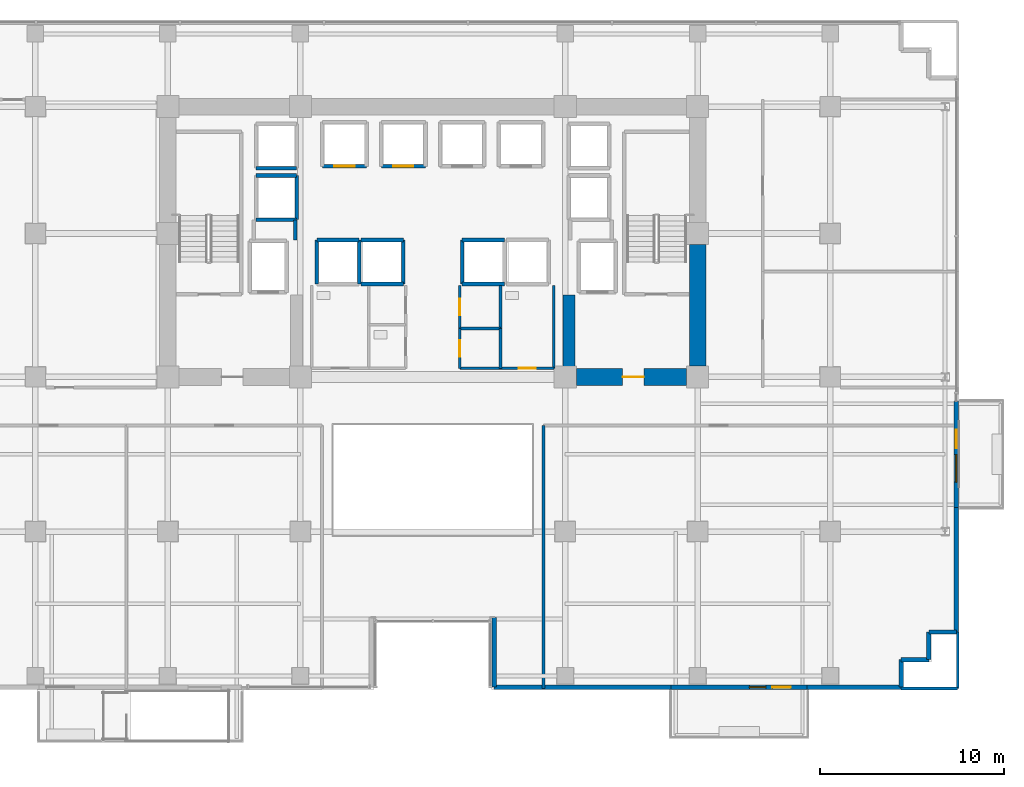
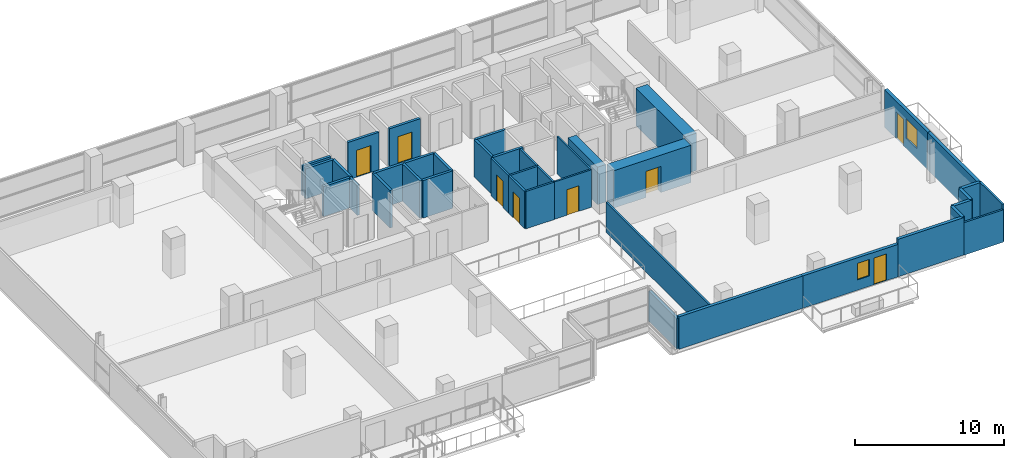
# One storey, part 23 of 30: 40 walls, 8 doors, 2 windows, 10 openings.
"""IFC4 building model written with IfcOpenShell, lengths in metres."""

from ifc_helpers import new_model, si_unit, direction, frame, frame_2d, origin, place, context, subcontext, project, spatial, rectangle, extrude, source, transform, mapped, material, layer, layer_set, type_object, element, fill, save


model = new_model("IFC4")

# Units and contexts
model_context = context("Model", 3, precision=1e-05, world=origin(), true_north=direction((0.0, 1.0)))
body_context = subcontext(model_context, "Body", "Model", "MODEL_VIEW")
ifc_project = project(units=[si_unit("LENGTHUNIT", "METRE"), si_unit("AREAUNIT", "SQUARE_METRE"), si_unit("VOLUMEUNIT", "CUBIC_METRE"), si_unit("PLANEANGLEUNIT", "RADIAN"), si_unit("MASSUNIT", "GRAM", prefix="KILO")], contexts=[model_context])

# Site, building, storey
site_placement = place(None, origin())
site = spatial("IfcSite", under=ifc_project, at=site_placement, CompositionType="ELEMENT")
building_placement = place(site_placement, origin())
building = spatial("IfcBuilding", under=site, at=building_placement, Name="Zarnakvel Exchange Tower", CompositionType="ELEMENT")
storey_placement = place(building_placement, frame((0.0, 0.0, 30.699951171875)))
storey = spatial("IfcBuildingStorey", under=building, at=storey_placement, Name="L07", CompositionType="ELEMENT", Elevation=30.699951171875)

# Wall
ifc_material_1 = material(Name="Concrete C80/95", Category="concrete")
ifc_layer_1 = layer(ifc_material_1, 0.89990234375)
ifc_layer_set_1 = layer_set([ifc_layer_1], Name="Concrete C80/95")
wall_type_1 = type_object("IfcWallType", Name="CW-C1", PredefinedType="SHEAR", material=ifc_layer_set_1)
wall_1_placement = place(storey_placement, frame((14.39990234375, -0.60009765625, 0.0), z_axis=(0.0, 0.0, 1.0), x_axis=(0.0, 1.0, 0.0)))
element("IfcWall", 1, at=wall_1_placement, inside=storey, type_object=wall_type_1, Name="L07 Rear Core Shear Wall E1 (CW-C1)", PredefinedType="SHEAR", context=body_context, shape_type="SweptSolid", body=[
    extrude(rectangle(XDim=6.60009765625, YDim=0.89990234375, at=frame_2d((3.300048828125, 0.0))), origin(), (0.0, 0.0, 1.0), 3.074951171875),
])

# Wall, opening, door
wall_2_placement = place(storey_placement, frame((13.800048828125, -1.199951171875, 0.0), z_axis=(0.0, 0.0, 1.0), x_axis=(-1.0, 0.0, 0.0)))
wall_2 = element("IfcWall", 2, at=wall_2_placement, inside=storey, type_object=wall_type_1, Name="L07 Rear Core Shear Wall SE (CW-C1)", PredefinedType="SHEAR", context=body_context, shape_type="SweptSolid", body=[
    extrude(rectangle(XDim=6.0, YDim=0.89990234375, at=frame_2d((3.0, 0.0))), origin(), (0.0, 0.0, 1.0), 3.074951171875),
])
opening_1_placement = place(wall_2_placement, frame((2.324951171875, 0.0, 0.0)))
opening_1 = element("IfcOpeningElement", 3, at=opening_1_placement, cuts=wall_2, Name="Opening D-L07-04", PredefinedType="OPENING", context=body_context, shape_type="SweptSolid", body=[
    extrude(rectangle(XDim=1.14990234375, YDim=2.14990234375, at=frame_2d((0.574951171875, 1.074951171875))), frame((0.0, 0.4599609375, 0.0), z_axis=(0.0, -1.0, 0.0), x_axis=(1.0, 0.0, 0.0)), (0.0, 0.0, 1.0), 0.919921875),
])
ifc_material_2 = material(Name="Painted Galvanised Steel S355", Category="steel")
door_type_1 = type_object("IfcDoorType", Name="DT-04", OperationType="NOTDEFINED", PredefinedType="DOOR", material=ifc_material_2)
shared_shape_1 = source(origin(), body_context, "Body", "SweptSolid", [
    extrude(rectangle(XDim=1.14990234375, YDim=2.14990234375, at=frame_2d((0.574951171875, 1.074951171875))), frame((0.0, 0.02490234375, 0.0), z_axis=(0.0, -1.0, 0.0), x_axis=(1.0, 0.0, 0.0)), (0.0, 0.0, 1.0), 0.050048828125),
])
door_1_placement = place(opening_1_placement, origin())
door_1 = element("IfcDoor", 4, at=door_1_placement, inside=storey, type_object=door_type_1, Name="L07 Firefighting Lobby East Door D-L07-04", OperationType="SINGLE_SWING_LEFT", OverallHeight=2.14990234375, OverallWidth=1.14990234375, PredefinedType="DOOR", context=body_context, shape_type="MappedRepresentation", body=[
    mapped(shared_shape_1, transform((0.0, 0.0, 0.0), x_axis=(1.0, 0.0, 0.0), y_axis=(0.0, 1.0, 0.0), z_axis=(0.0, 0.0, 1.0), scale=1.0)),
])
fill(opening_1, door_1)

# Wall
ifc_layer_2 = layer(ifc_material_1, 0.64990234375)
ifc_layer_set_2 = layer_set([ifc_layer_2], Name="Concrete C80/95")
wall_type_2 = type_object("IfcWallType", Name="CW-C2", PredefinedType="SHEAR", material=ifc_layer_set_2)
wall_3_placement = place(storey_placement, frame((7.39990234375, -0.75, 0.0), z_axis=(0.0, 0.0, 1.0), x_axis=(0.0, 1.0, 0.0)))
element("IfcWall", 5, at=wall_3_placement, inside=storey, type_object=wall_type_2, Name="L07 Rear Core Shear Wall IE (CW-C2)", PredefinedType="SHEAR", context=body_context, shape_type="SweptSolid", body=[
    extrude(rectangle(XDim=4.0, YDim=0.64990234375, at=frame_2d((2.0, 0.0))), origin(), (0.0, 0.0, 1.0), 3.074951171875),
])

# Wall, openings, door, window
ifc_material_3 = material(Name="Precast concrete C40/50", Category="concrete")
ifc_layer_3 = layer(ifc_material_3, 0.239990234375)
ifc_layer_set_3 = layer_set([ifc_layer_3], Name="Precast concrete C40/50")
wall_type_3 = type_object("IfcWallType", Name="EW-02", PredefinedType="SOLIDWALL", material=ifc_layer_set_3)
wall_4_placement = place(storey_placement, frame((20.35009765625, -18.06005859375, 0.0), z_axis=(0.0, 0.0, 1.0), x_axis=(-1.0, 0.0, 0.0)))
wall_4 = element("IfcWall", 6, at=wall_4_placement, inside=storey, type_object=wall_type_3, Name="L07 Exterior Precast Spandrel Wall EW-BAL-L07-SE (EW-02)", PredefinedType="SOLIDWALL", context=body_context, shape_type="SweptSolid", body=[
    extrude(rectangle(XDim=7.400146484375, YDim=0.239990234375, at=frame_2d((3.7001953125, 0.0))), origin(), (0.0, 0.0, 1.0), 2.6650390625),
])
opening_2_placement = place(wall_4_placement, frame((0.887939453125, 0.0, 0.0)))
opening_2 = element("IfcOpeningElement", 7, at=opening_2_placement, cuts=wall_4, Name="Opening BD-L07-01", PredefinedType="OPENING", context=body_context, shape_type="SweptSolid", body=[
    extrude(rectangle(XDim=1.0, YDim=2.199951171875, at=frame_2d((0.5, 1.10009765625))), frame((0.0, 0.1298828125, 0.0), z_axis=(0.0, -1.0, 0.0), x_axis=(1.0, 0.0, 0.0)), (0.0, 0.0, 1.0), 0.260009765625),
])
opening_3_placement = place(wall_4_placement, frame((2.238037109375, 0.0, 0.85009765625)))
opening_3 = element("IfcOpeningElement", 8, at=opening_3_placement, cuts=wall_4, Name="Opening WN-06", PredefinedType="OPENING", context=body_context, shape_type="SweptSolid", body=[
    extrude(rectangle(XDim=0.89990234375, YDim=1.35009765625, at=frame_2d((0.449951171875, 0.675048828125))), frame((0.0, 0.1298828125, 0.0), z_axis=(0.0, -1.0, 0.0), x_axis=(1.0, 0.0, 0.0)), (0.0, 0.0, 1.0), 0.260009765625),
])
ifc_material_4 = material(Name="Architectural Bronze Anodised Aluminium", Category="aluminium")
door_type_2 = type_object("IfcDoorType", Name="DT-09", OperationType="NOTDEFINED", PredefinedType="DOOR", material=ifc_material_4)
shared_shape_2 = source(origin(), body_context, "Body", "SweptSolid", [
    extrude(rectangle(XDim=1.0, YDim=2.199951171875, at=frame_2d((0.5, 1.10009765625))), frame((0.0, 0.02490234375, 0.0), z_axis=(0.0, -1.0, 0.0), x_axis=(1.0, 0.0, 0.0)), (0.0, 0.0, 1.0), 0.050048828125),
])
door_2_placement = place(opening_2_placement, origin())
door_2 = element("IfcDoor", 9, at=door_2_placement, inside=storey, type_object=door_type_2, Name="L07 Planted Loggia Balcony Door BD-L07-01", OperationType="SINGLE_SWING_LEFT", OverallHeight=2.199951171875, OverallWidth=1.0, PredefinedType="DOOR", context=body_context, shape_type="MappedRepresentation", body=[
    mapped(shared_shape_2, transform((0.0, 0.0, 0.0), x_axis=(1.0, 0.0, 0.0), y_axis=(0.0, 1.0, 0.0), z_axis=(0.0, 0.0, 1.0), scale=1.0)),
])
fill(opening_2, door_2)
ifc_material_5 = material(Name="Double Low-E Laminated Vision Glass", Category="glass")
window_type_1 = type_object("IfcWindowType", Name="WN-06", PartitioningType="SINGLE_PANEL", PredefinedType="WINDOW", material=ifc_material_5)
shared_shape_3 = source(origin(), body_context, "Body", "SweptSolid", [
    extrude(rectangle(XDim=0.89990234375, YDim=1.35009765625, at=frame_2d((0.449951171875, 0.675048828125))), frame((0.0, 0.030029296875, 0.0), z_axis=(0.0, -1.0, 0.0), x_axis=(1.0, 0.0, 0.0)), (0.0, 0.0, 1.0), 0.06005859375),
])
window_1_placement = place(opening_3_placement, origin())
window_1 = element("IfcWindow", 10, at=window_1_placement, inside=storey, type_object=window_type_1, Name="L07 Loggia Daylight Window (WN-06)", OverallHeight=1.35009765625, OverallWidth=0.89990234375, PartitioningType="SINGLE_PANEL", PredefinedType="WINDOW", context=body_context, shape_type="MappedRepresentation", body=[
    mapped(shared_shape_3, transform((0.0, 0.0, 0.0), x_axis=(1.0, 0.0, 0.0), y_axis=(0.0, 1.0, 0.0), z_axis=(0.0, 0.0, 1.0), scale=1.0)),
])
fill(opening_3, window_1)

wall_5_placement = place(storey_placement, frame((28.4599609375, -2.5, 0.0), z_axis=(0.0, 0.0, 1.0), x_axis=(0.0, -1.0, 0.0)))
wall_5 = element("IfcWall", 11, at=wall_5_placement, inside=storey, type_object=wall_type_3, Name="L07 Exterior Precast Spandrel Wall EW-BAL-L07-E (EW-02)", PredefinedType="SOLIDWALL", context=body_context, shape_type="SweptSolid", body=[
    extrude(rectangle(XDim=5.800048828125, YDim=0.239990234375, at=frame_2d((2.89990234375, 0.0))), origin(), (0.0, 0.0, 1.0), 3.074951171875),
])
opening_4_placement = place(wall_5_placement, frame((1.56591796875, 0.0, 0.0)))
opening_4 = element("IfcOpeningElement", 12, at=opening_4_placement, cuts=wall_5, Name="Opening BD-L07-02", PredefinedType="OPENING", context=body_context, shape_type="SweptSolid", body=[
    extrude(rectangle(XDim=1.0, YDim=2.199951171875, at=frame_2d((0.5, 1.10009765625))), frame((0.0, 0.1298828125, 0.0), z_axis=(0.0, -1.0, 0.0), x_axis=(1.0, 0.0, 0.0)), (0.0, 0.0, 1.0), 0.260009765625),
])
opening_5_placement = place(wall_5_placement, frame((2.916015625, 0.0, 0.85009765625)))
opening_5 = element("IfcOpeningElement", 13, at=opening_5_placement, cuts=wall_5, Name="Opening WN-03", PredefinedType="OPENING", context=body_context, shape_type="SweptSolid", body=[
    extrude(rectangle(XDim=1.5, YDim=1.60009765625, at=frame_2d((0.75, 0.800048828125))), frame((0.0, 0.1298828125, 0.0), z_axis=(0.0, -1.0, 0.0), x_axis=(1.0, 0.0, 0.0)), (0.0, 0.0, 1.0), 0.260009765625),
])
door_3_placement = place(opening_4_placement, origin())
door_3 = element("IfcDoor", 14, at=door_3_placement, inside=storey, type_object=door_type_2, Name="L07 Planted Loggia Balcony Door BD-L07-02", OperationType="SINGLE_SWING_RIGHT", OverallHeight=2.199951171875, OverallWidth=1.0, PredefinedType="DOOR", context=body_context, shape_type="MappedRepresentation", body=[
    mapped(shared_shape_2, transform((0.0, 0.0, 0.0), x_axis=(1.0, 0.0, 0.0), y_axis=(0.0, 1.0, 0.0), z_axis=(0.0, 0.0, 1.0), scale=1.0)),
])
fill(opening_4, door_3)
window_type_2 = type_object("IfcWindowType", Name="WN-03", PartitioningType="SINGLE_PANEL", PredefinedType="WINDOW", material=ifc_material_5)
shared_shape_4 = source(origin(), body_context, "Body", "SweptSolid", [
    extrude(rectangle(XDim=1.5, YDim=1.60009765625, at=frame_2d((0.75, 0.800048828125))), frame((0.0, 0.030029296875, 0.0), z_axis=(0.0, -1.0, 0.0), x_axis=(1.0, 0.0, 0.0)), (0.0, 0.0, 1.0), 0.06005859375),
])
window_2_placement = place(opening_5_placement, origin())
window_2 = element("IfcWindow", 15, at=window_2_placement, inside=storey, type_object=window_type_2, Name="L07 Loggia Daylight Window (WN-03)", OverallHeight=1.60009765625, OverallWidth=1.5, PartitioningType="SINGLE_PANEL", PredefinedType="WINDOW", context=body_context, shape_type="MappedRepresentation", body=[
    mapped(shared_shape_4, transform((0.0, 0.0, 0.0), x_axis=(1.0, 0.0, 0.0), y_axis=(0.0, 1.0, 0.0), z_axis=(0.0, 0.0, 1.0), scale=1.0)),
])
fill(opening_5, window_2)

# Walls
wall_6_placement = place(storey_placement, frame((28.4599609375, -15.06005859375, 0.0), z_axis=(0.0, 0.0, 1.0), x_axis=(0.0, 1.0, 0.0)))
element("IfcWall", 16, at=wall_6_placement, inside=storey, type_object=wall_type_3, Name="L07 Exterior Precast Spandrel Wall EWC-L07-10 (EW-02)", PredefinedType="SOLIDWALL", context=body_context, shape_type="SweptSolid", body=[
    extrude(rectangle(XDim=6.760009765625, YDim=0.239990234375, at=frame_2d((3.3798828125, 0.0))), origin(), (0.0, 0.0, 1.0), 3.074951171875),
])
for number, where, z_axis, x_axis, name in (
    (17, (26.9599609375, -15.06005859375, 0.0), (0.0, 0.0, 1.0), (1.0, 0.0, 0.0), "L07 Exterior Precast Spandrel Wall EWC-L07-11 (EW-02)"),
    (18, (26.9599609375, -16.56005859375, 0.0), (0.0, 0.0, 1.0), (0.0, 1.0, 0.0), "L07 Exterior Precast Spandrel Wall EWC-L07-12 (EW-02)"),
    (19, (25.4599609375, -16.56005859375, 0.0), (0.0, 0.0, 1.0), (1.0, 0.0, 0.0), "L07 Exterior Precast Spandrel Wall EWC-L07-13 (EW-02)"),
    (20, (25.4599609375, -18.06005859375, 0.0), (0.0, 0.0, 1.0), (0.0, 1.0, 0.0), "L07 Exterior Precast Spandrel Wall EWC-L07-14 (EW-02)"),
):
    element("IfcWall", number, at=place(storey_placement, frame(where, z_axis=z_axis, x_axis=x_axis)), inside=storey, type_object=wall_type_3, Name=name, PredefinedType="SOLIDWALL", context=body_context, shape_type="SweptSolid", body=[
        extrude(rectangle(XDim=1.5, YDim=0.239990234375, at=frame_2d((0.75, 0.0))), origin(), (0.0, 0.0, 1.0), 3.074951171875),
    ])
wall_7_placement = place(storey_placement, frame((20.35009765625, -18.06005859375, 0.0), z_axis=(0.0, 0.0, 1.0), x_axis=(1.0, 0.0, 0.0)))
element("IfcWall", 21, at=wall_7_placement, inside=storey, type_object=wall_type_3, Name="L07 Exterior Precast Spandrel Wall EWC-L07-15 (EW-02)", PredefinedType="SOLIDWALL", context=body_context, shape_type="SweptSolid", body=[
    extrude(rectangle(XDim=5.10986328125, YDim=0.239990234375, at=frame_2d((2.554931640625, 0.0))), origin(), (0.0, 0.0, 1.0), 3.074951171875),
])
wall_8_placement = place(storey_placement, frame((3.340087890625, -18.06005859375, 0.0), z_axis=(0.0, 0.0, 1.0), x_axis=(1.0, 0.0, 0.0)))
element("IfcWall", 22, at=wall_8_placement, inside=storey, type_object=wall_type_3, Name="L07 Exterior Precast Spandrel Wall EWC-L07-16 (EW-02)", PredefinedType="SOLIDWALL", context=body_context, shape_type="SweptSolid", body=[
    extrude(rectangle(XDim=9.60986328125, YDim=0.239990234375, at=frame_2d((4.804931640625, 0.0))), origin(), (0.0, 0.0, 1.0), 2.6650390625),
])
wall_9_placement = place(storey_placement, frame((3.340087890625, -14.260009765625, 0.0), z_axis=(0.0, 0.0, 1.0), x_axis=(0.0, -1.0, 0.0)))
element("IfcWall", 23, at=wall_9_placement, inside=storey, type_object=wall_type_3, Name="L07 Exterior Precast Spandrel Wall EWC-L07-17 (EW-02)", PredefinedType="SOLIDWALL", context=body_context, shape_type="SweptSolid", body=[
    extrude(rectangle(XDim=3.800048828125, YDim=0.239990234375, at=frame_2d((1.89990234375, 0.0))), origin(), (0.0, 0.0, 1.0), 2.465087890625),
])
ifc_material_6 = material(Name="Fire-Rated Gypsum Stud Partition", Category="gypsum")
ifc_layer_4 = layer(ifc_material_6, 0.14990234375)
ifc_layer_set_4 = layer_set([ifc_layer_4], Name="Fire-Rated Gypsum Stud Partition")
wall_type_4 = type_object("IfcWallType", Name="PT-01", PredefinedType="PARTITIONING", material=ifc_layer_set_4)
for number, where, z_axis, x_axis, name in (
    (24, (3.679931640625, -0.72998046875, 0.0), (0.0, 0.0, 1.0), (-1.0, 0.0, 0.0), "L07 Partition Wall PWALL-L07-018 (PT-01)"),
    (25, (1.469970703125, 1.429931640625, 0.0), (0.0, 0.0, 1.0), (1.0, 0.0, 0.0), "L07 Partition Wall PWALL-L07-019 (PT-01)"),
):
    element("IfcWall", number, at=place(storey_placement, frame(where, z_axis=z_axis, x_axis=x_axis)), inside=storey, type_object=wall_type_4, Name=name, PredefinedType="PARTITIONING", context=body_context, shape_type="SweptSolid", body=[
        extrude(rectangle(XDim=2.2099609375, YDim=0.14990234375, at=frame_2d((1.10498046875, 0.0))), origin(), (0.0, 0.0, 1.0), 3.074951171875),
    ])

# Wall, opening, door
wall_10_placement = place(storey_placement, frame((1.469970703125, -0.72998046875, 0.0), z_axis=(0.0, 0.0, 1.0), x_axis=(0.0, 1.0, 0.0)))
wall_10 = element("IfcWall", 26, at=wall_10_placement, inside=storey, type_object=wall_type_4, Name="L07 Partition Wall PWALL-L07-020 (PT-01)", PredefinedType="PARTITIONING", context=body_context, shape_type="SweptSolid", body=[
    extrude(rectangle(XDim=2.159912109375, YDim=0.14990234375, at=frame_2d((1.080078125, 0.0))), origin(), (0.0, 0.0, 1.0), 3.074951171875),
])
opening_6_placement = place(wall_10_placement, frame((0.639892578125, 0.0, 0.0)))
opening_6 = element("IfcOpeningElement", 27, at=opening_6_placement, cuts=wall_10, Name="Opening D-L07-08", PredefinedType="OPENING", context=body_context, shape_type="SweptSolid", body=[
    extrude(rectangle(XDim=0.8798828125, YDim=2.10009765625, at=frame_2d((0.43994140625, 1.050048828125))), frame((0.0, 0.0849609375, 0.0), z_axis=(0.0, -1.0, 0.0), x_axis=(1.0, 0.0, 0.0)), (0.0, 0.0, 1.0), 0.169921875),
])
door_type_3 = type_object("IfcDoorType", Name="DT-08", OperationType="NOTDEFINED", PredefinedType="DOOR", material=ifc_material_2)
shared_shape_5 = source(origin(), body_context, "Body", "SweptSolid", [
    extrude(rectangle(XDim=0.8798828125, YDim=2.10009765625, at=frame_2d((0.43994140625, 1.050048828125))), frame((0.0, 0.02490234375, 0.0), z_axis=(0.0, -1.0, 0.0), x_axis=(1.0, 0.0, 0.0)), (0.0, 0.0, 1.0), 0.050048828125),
])
door_4_placement = place(opening_6_placement, origin())
door_4 = element("IfcDoor", 28, at=door_4_placement, inside=storey, type_object=door_type_3, Name="L07 Janitor Store Door D-L07-08", OperationType="SINGLE_SWING_LEFT", OverallHeight=2.10009765625, OverallWidth=0.8798828125, PredefinedType="DOOR", context=body_context, shape_type="MappedRepresentation", body=[
    mapped(shared_shape_5, transform((0.0, 0.0, 0.0), x_axis=(1.0, 0.0, 0.0), y_axis=(0.0, 1.0, 0.0), z_axis=(0.0, 0.0, 1.0), scale=1.0)),
])
fill(opening_6, door_4)

# Wall
wall_11_placement = place(storey_placement, frame((3.679931640625, 1.429931640625, 0.0), z_axis=(0.0, 0.0, 1.0), x_axis=(0.0, -1.0, 0.0)))
element("IfcWall", 29, at=wall_11_placement, inside=storey, type_object=wall_type_4, Name="L07 Partition Wall PWALL-L07-021 (PT-01)", PredefinedType="PARTITIONING", context=body_context, shape_type="SweptSolid", body=[
    extrude(rectangle(XDim=2.159912109375, YDim=0.14990234375, at=frame_2d((1.080078125, 0.0))), origin(), (0.0, 0.0, 1.0), 3.074951171875),
])

# Wall, opening, door
wall_12_placement = place(storey_placement, frame((1.469970703125, 1.429931640625, 0.0), z_axis=(0.0, 0.0, 1.0), x_axis=(0.0, 1.0, 0.0)))
wall_12 = element("IfcWall", 30, at=wall_12_placement, inside=storey, type_object=wall_type_4, Name="L07 Partition Wall PWALL-L07-022 (PT-01)", PredefinedType="PARTITIONING", context=body_context, shape_type="SweptSolid", body=[
    extrude(rectangle(XDim=2.330078125, YDim=0.14990234375, at=frame_2d((1.1650390625, 0.0))), origin(), (0.0, 0.0, 1.0), 3.074951171875),
])
opening_7_placement = place(wall_12_placement, frame((0.72998046875, 0.0, 0.0)))
opening_7 = element("IfcOpeningElement", 31, at=opening_7_placement, cuts=wall_12, Name="Opening D-L07-09", PredefinedType="OPENING", context=body_context, shape_type="SweptSolid", body=[
    extrude(rectangle(XDim=0.8798828125, YDim=2.14990234375, at=frame_2d((0.43994140625, 1.074951171875))), frame((0.0, 0.0849609375, 0.0), z_axis=(0.0, -1.0, 0.0), x_axis=(1.0, 0.0, 0.0)), (0.0, 0.0, 1.0), 0.169921875),
])
ifc_material_7 = material(Name="Timber Acoustic Veneer", Category="wood")
door_type_4 = type_object("IfcDoorType", Name="DT-05", OperationType="NOTDEFINED", PredefinedType="DOOR", material=ifc_material_7)
shared_shape_6 = source(origin(), body_context, "Body", "SweptSolid", [
    extrude(rectangle(XDim=0.8798828125, YDim=2.14990234375, at=frame_2d((0.43994140625, 1.074951171875))), frame((0.0, 0.02490234375, 0.0), z_axis=(0.0, -1.0, 0.0), x_axis=(1.0, 0.0, 0.0)), (0.0, 0.0, 1.0), 0.050048828125),
])
door_5_placement = place(opening_7_placement, origin())
door_5 = element("IfcDoor", 32, at=door_5_placement, inside=storey, type_object=door_type_4, Name="L07 Stationery Store Door D-L07-09", OperationType="SINGLE_SWING_RIGHT", OverallHeight=2.14990234375, OverallWidth=0.8798828125, PredefinedType="DOOR", context=body_context, shape_type="MappedRepresentation", body=[
    mapped(shared_shape_6, transform((0.0, 0.0, 0.0), x_axis=(1.0, 0.0, 0.0), y_axis=(0.0, 1.0, 0.0), z_axis=(0.0, 0.0, 1.0), scale=1.0)),
])
fill(opening_7, door_5)

# Walls
wall_13_placement = place(storey_placement, frame((3.679931640625, 3.760009765625, 0.0), z_axis=(0.0, 0.0, 1.0), x_axis=(0.0, -1.0, 0.0)))
element("IfcWall", 33, at=wall_13_placement, inside=storey, type_object=wall_type_4, Name="L07 Partition Wall PWALL-L07-023 (PT-01)", PredefinedType="PARTITIONING", context=body_context, shape_type="SweptSolid", body=[
    extrude(rectangle(XDim=2.330078125, YDim=0.14990234375, at=frame_2d((1.1650390625, 0.0))), origin(), (0.0, 0.0, 1.0), 3.074951171875),
])
wall_14_placement = place(storey_placement, frame((28.530029296875, -18.1298828125, 0.0), z_axis=(0.0, 0.0, 1.0), x_axis=(-1.0, 0.0, 0.0)))
element("IfcWall", 34, at=wall_14_placement, inside=storey, type_object=wall_type_4, Name="L07 Partition Wall PWALL-L07-033 (PT-01)", PredefinedType="PARTITIONING", context=body_context, shape_type="SweptSolid", body=[
    extrude(rectangle(XDim=3.070068359375, YDim=0.14990234375, at=frame_2d((1.53515625, 0.0))), origin(), (0.0, 0.0, 1.0), 2.6650390625),
])
wall_15_placement = place(storey_placement, frame((6.02001953125, -18.1298828125, 0.0), z_axis=(0.0, 0.0, 1.0), x_axis=(0.0, 1.0, 0.0)))
element("IfcWall", 35, at=wall_15_placement, inside=storey, type_object=wall_type_4, Name="L07 Partition Wall PWALL-L07-035 (PT-01)", PredefinedType="PARTITIONING", context=body_context, shape_type="SweptSolid", body=[
    extrude(rectangle(XDim=14.2998046875, YDim=0.14990234375, at=frame_2d((7.14990234375, 0.0))), origin(), (0.0, 0.0, 1.0), 2.465087890625),
])
wall_16_placement = place(storey_placement, frame((28.530029296875, -15.06005859375, 0.0), z_axis=(0.0, 0.0, 1.0), x_axis=(0.0, -1.0, 0.0)))
element("IfcWall", 36, at=wall_16_placement, inside=storey, type_object=wall_type_4, Name="L07 Partition Wall PWALL-L07-036 (PT-01)", PredefinedType="PARTITIONING", context=body_context, shape_type="SweptSolid", body=[
    extrude(rectangle(XDim=3.06982421875, YDim=0.14990234375, at=frame_2d((1.534912109375, 0.0))), origin(), (0.0, 0.0, 1.0), 3.074951171875),
])
ifc_layer_5 = layer(ifc_material_6, 0.179931640625)
ifc_layer_set_5 = layer_set([ifc_layer_5], Name="Fire-Rated Gypsum Stud Partition")
wall_type_5 = type_object("IfcWallType", Name="PT-02", PredefinedType="PARTITIONING", material=ifc_layer_set_5)
wall_17_placement = place(storey_placement, frame((-7.469970703125, 7.330078125, 0.0), z_axis=(0.0, 0.0, 1.0), x_axis=(0.0, -1.0, 0.0)))
element("IfcWall", 37, at=wall_17_placement, inside=storey, type_object=wall_type_5, Name="L07 Partition Wall PWALL-L07-008 (PT-02)", PredefinedType="PARTITIONING", context=body_context, shape_type="SweptSolid", body=[
    extrude(rectangle(XDim=1.090087890625, YDim=0.179931640625, at=frame_2d((0.544921875, 0.0))), origin(), (0.0, 0.0, 1.0), 2.465087890625),
])

# Wall, opening, door
ifc_material_8 = material(Name="Moisture-Resistant Tile-Faced Partition", Category="gypsum")
ifc_layer_6 = layer(ifc_material_8, 0.135009765625)
ifc_layer_set_6 = layer_set([ifc_layer_6], Name="Moisture-Resistant Tile-Faced Partition")
wall_type_6 = type_object("IfcWallType", Name="PT-03", PredefinedType="PARTITIONING", material=ifc_layer_set_6)
wall_18_placement = place(storey_placement, frame((6.580078125, -0.72998046875, 0.0), z_axis=(0.0, 0.0, 1.0), x_axis=(-1.0, 0.0, 0.0)))
wall_18 = element("IfcWall", 38, at=wall_18_placement, inside=storey, type_object=wall_type_6, Name="L07 Partition Wall PWALL-L07-024 (PT-03)", PredefinedType="PARTITIONING", context=body_context, shape_type="SweptSolid", body=[
    extrude(rectangle(XDim=2.900146484375, YDim=0.135009765625, at=frame_2d((1.4501953125, 0.0))), origin(), (0.0, 0.0, 1.0), 3.074951171875),
])
opening_8_placement = place(wall_18_placement, frame((0.989990234375, 0.0, 0.0)))
opening_8 = element("IfcOpeningElement", 39, at=opening_8_placement, cuts=wall_18, Name="Opening D-L07-10", PredefinedType="OPENING", context=body_context, shape_type="SweptSolid", body=[
    extrude(rectangle(XDim=0.919921875, YDim=2.10009765625, at=frame_2d((0.4599609375, 1.050048828125))), frame((0.0, 0.077392578125, 0.0), z_axis=(0.0, -1.0, 0.0), x_axis=(1.0, 0.0, 0.0)), (0.0, 0.0, 1.0), 0.155029296875),
])
ifc_material_9 = material(Name="Moisture-Resistant Laminate Timber", Category="wood")
door_type_5 = type_object("IfcDoorType", Name="DT-07", OperationType="NOTDEFINED", PredefinedType="DOOR", material=ifc_material_9)
shared_shape_7 = source(origin(), body_context, "Body", "SweptSolid", [
    extrude(rectangle(XDim=0.919921875, YDim=2.10009765625, at=frame_2d((0.4599609375, 1.050048828125))), frame((0.0, 0.02490234375, 0.0), z_axis=(0.0, -1.0, 0.0), x_axis=(1.0, 0.0, 0.0)), (0.0, 0.0, 1.0), 0.050048828125),
])
door_6_placement = place(opening_8_placement, origin())
door_6 = element("IfcDoor", 40, at=door_6_placement, inside=storey, type_object=door_type_5, Name="L07 Female Toilet Door D-L07-10", OperationType="SINGLE_SWING_LEFT", OverallHeight=2.10009765625, OverallWidth=0.919921875, PredefinedType="DOOR", context=body_context, shape_type="MappedRepresentation", body=[
    mapped(shared_shape_7, transform((0.0, 0.0, 0.0), x_axis=(1.0, 0.0, 0.0), y_axis=(0.0, 1.0, 0.0), z_axis=(0.0, 0.0, 1.0), scale=1.0)),
])
fill(opening_8, door_6)

# Wall
wall_19_placement = place(storey_placement, frame((6.580078125, 3.760009765625, 0.0), z_axis=(0.0, 0.0, 1.0), x_axis=(0.0, -1.0, 0.0)))
element("IfcWall", 41, at=wall_19_placement, inside=storey, type_object=wall_type_6, Name="L07 Partition Wall PWALL-L07-025 (PT-03)", PredefinedType="PARTITIONING", context=body_context, shape_type="SweptSolid", body=[
    extrude(rectangle(XDim=4.489990234375, YDim=0.135009765625, at=frame_2d((2.2451171875, 0.0))), origin(), (0.0, 0.0, 1.0), 3.074951171875),
])

# Wall, opening, door
ifc_material_10 = material(Name="Concrete C40/50", Category="concrete")
ifc_layer_7 = layer(ifc_material_10, 0.199951171875)
ifc_layer_set_7 = layer_set([ifc_layer_7], Name="Concrete C40/50")
wall_type_7 = type_object("IfcWallType", Name="SW-01", PredefinedType="SOLIDWALL", material=ifc_layer_set_7)
wall_20_placement = place(storey_placement, frame((-3.60009765625, 10.25, 0.0), z_axis=(0.0, 0.0, 1.0), x_axis=(-1.0, 0.0, 0.0)))
wall_20 = element("IfcWall", 42, at=wall_20_placement, inside=storey, type_object=wall_type_7, Name="L07 PL-01 Hoistway Wall South", PredefinedType="SOLIDWALL", context=body_context, shape_type="SweptSolid", body=[
    extrude(rectangle(XDim=2.39990234375, YDim=0.199951171875, at=frame_2d((1.199951171875, 0.0))), origin(), (0.0, 0.0, 1.0), 3.074951171875),
])
opening_9_placement = place(wall_20_placement, frame((0.64990234375, 0.0, 0.0)))
opening_9 = element("IfcOpeningElement", 43, at=opening_9_placement, cuts=wall_20, Name="Opening LD-PL-01-L07", PredefinedType="OPENING", context=body_context, shape_type="SweptSolid", body=[
    extrude(rectangle(XDim=1.10009765625, YDim=2.199951171875, at=frame_2d((0.550048828125, 1.10009765625))), frame((0.0, 0.10986328125, 0.0), z_axis=(0.0, -1.0, 0.0), x_axis=(1.0, 0.0, 0.0)), (0.0, 0.0, 1.0), 0.219970703125),
])
door_type_6 = type_object("IfcDoorType", Name="LDT-02", OperationType="NOTDEFINED", PredefinedType="DOOR", material=ifc_material_4)
shared_shape_8 = source(origin(), body_context, "Body", "SweptSolid", [
    extrude(rectangle(XDim=1.10009765625, YDim=2.199951171875, at=frame_2d((0.550048828125, 1.10009765625))), frame((0.0, 0.02490234375, 0.0), z_axis=(0.0, -1.0, 0.0), x_axis=(1.0, 0.0, 0.0)), (0.0, 0.0, 1.0), 0.050048828125),
])
door_7_placement = place(opening_9_placement, origin())
door_7 = element("IfcDoor", 44, at=door_7_placement, inside=storey, type_object=door_type_6, Name="L07 PL-01 Lift Landing Door LD-PL-01-L07", OperationType="DOUBLE_DOOR_SLIDING", OverallHeight=2.199951171875, OverallWidth=1.10009765625, PredefinedType="DOOR", context=body_context, shape_type="MappedRepresentation", body=[
    mapped(shared_shape_8, transform((0.0, 0.0, 0.0), x_axis=(1.0, 0.0, 0.0), y_axis=(0.0, 1.0, 0.0), z_axis=(0.0, 0.0, 1.0), scale=1.0)),
])
fill(opening_9, door_7)

wall_21_placement = place(storey_placement, frame((-0.39990234375, 10.25, 0.0), z_axis=(0.0, 0.0, 1.0), x_axis=(-1.0, 0.0, 0.0)))
wall_21 = element("IfcWall", 45, at=wall_21_placement, inside=storey, type_object=wall_type_7, Name="L07 PL-02 Hoistway Wall South", PredefinedType="SOLIDWALL", context=body_context, shape_type="SweptSolid", body=[
    extrude(rectangle(XDim=2.400146484375, YDim=0.199951171875, at=frame_2d((1.2001953125, 0.0))), origin(), (0.0, 0.0, 1.0), 3.074951171875),
])
opening_10_placement = place(wall_21_placement, frame((0.64990234375, 0.0, 0.0)))
opening_10 = element("IfcOpeningElement", 46, at=opening_10_placement, cuts=wall_21, Name="Opening LD-PL-02-L07", PredefinedType="OPENING", context=body_context, shape_type="SweptSolid", body=[
    extrude(rectangle(XDim=1.10009765625, YDim=2.199951171875, at=frame_2d((0.550048828125, 1.10009765625))), frame((0.0, 0.10986328125, 0.0), z_axis=(0.0, -1.0, 0.0), x_axis=(1.0, 0.0, 0.0)), (0.0, 0.0, 1.0), 0.219970703125),
])
door_8_placement = place(opening_10_placement, origin())
door_8 = element("IfcDoor", 47, at=door_8_placement, inside=storey, type_object=door_type_6, Name="L07 PL-02 Lift Landing Door LD-PL-02-L07", OperationType="DOUBLE_DOOR_SLIDING", OverallHeight=2.199951171875, OverallWidth=1.10009765625, PredefinedType="DOOR", context=body_context, shape_type="MappedRepresentation", body=[
    mapped(shared_shape_8, transform((0.0, 0.0, 0.0), x_axis=(1.0, 0.0, 0.0), y_axis=(0.0, 1.0, 0.0), z_axis=(0.0, 0.0, 1.0), scale=1.0)),
])
fill(opening_10, door_8)

# Walls
wall_22_placement = place(storey_placement, frame((-6.300048828125, 6.25, 0.0), z_axis=(0.0, 0.0, 1.0), x_axis=(1.0, 0.0, 0.0)))
element("IfcWall", 48, at=wall_22_placement, inside=storey, type_object=wall_type_7, Name="L07 PL-05 Hoistway Wall North", PredefinedType="SOLIDWALL", context=body_context, shape_type="SweptSolid", body=[
    extrude(rectangle(XDim=2.300048828125, YDim=0.199951171875, at=frame_2d((1.14990234375, 0.0))), origin(), (0.0, 0.0, 1.0), 3.074951171875),
])
for number, where, z_axis, x_axis, name in (
    (49, (-6.300048828125, 3.85009765625, 0.0), (0.0, 0.0, 1.0), (0.0, 1.0, 0.0), "L07 PL-05 Hoistway Wall West"),
    (50, (-4.0, 6.25, 0.0), (0.0, 0.0, 1.0), (0.0, -1.0, 0.0), "L07 PL-05 Hoistway Wall East"),
):
    element("IfcWall", number, at=place(storey_placement, frame(where, z_axis=z_axis, x_axis=x_axis)), inside=storey, type_object=wall_type_7, Name=name, PredefinedType="SOLIDWALL", context=body_context, shape_type="SweptSolid", body=[
        extrude(rectangle(XDim=2.39990234375, YDim=0.199951171875, at=frame_2d((1.199951171875, 0.0))), origin(), (0.0, 0.0, 1.0), 3.074951171875),
    ])
for number, where, z_axis, x_axis, name in (
    (51, (-1.60009765625, 3.85009765625, 0.0), (0.0, 0.0, 1.0), (-1.0, 0.0, 0.0), "L07 PL-06 Hoistway Wall South"),
    (52, (-3.89990234375, 6.25, 0.0), (0.0, 0.0, 1.0), (1.0, 0.0, 0.0), "L07 PL-06 Hoistway Wall North"),
):
    element("IfcWall", number, at=place(storey_placement, frame(where, z_axis=z_axis, x_axis=x_axis)), inside=storey, type_object=wall_type_7, Name=name, PredefinedType="SOLIDWALL", context=body_context, shape_type="SweptSolid", body=[
        extrude(rectangle(XDim=2.2998046875, YDim=0.199951171875, at=frame_2d((1.14990234375, 0.0))), origin(), (0.0, 0.0, 1.0), 3.074951171875),
    ])
wall_23_placement = place(storey_placement, frame((-1.60009765625, 6.25, 0.0), z_axis=(0.0, 0.0, 1.0), x_axis=(0.0, -1.0, 0.0)))
element("IfcWall", 53, at=wall_23_placement, inside=storey, type_object=wall_type_7, Name="L07 PL-06 Hoistway Wall East", PredefinedType="SOLIDWALL", context=body_context, shape_type="SweptSolid", body=[
    extrude(rectangle(XDim=2.39990234375, YDim=0.199951171875, at=frame_2d((1.199951171875, 0.0))), origin(), (0.0, 0.0, 1.0), 3.074951171875),
])
for number, where, z_axis, x_axis, name in (
    (54, (3.89990234375, 3.85009765625, 0.0), (0.0, 0.0, 1.0), (-1.0, 0.0, 0.0), "L07 PL-07 Hoistway Wall South"),
    (55, (1.60009765625, 6.25, 0.0), (0.0, 0.0, 1.0), (1.0, 0.0, 0.0), "L07 PL-07 Hoistway Wall North"),
):
    element("IfcWall", number, at=place(storey_placement, frame(where, z_axis=z_axis, x_axis=x_axis)), inside=storey, type_object=wall_type_7, Name=name, PredefinedType="SOLIDWALL", context=body_context, shape_type="SweptSolid", body=[
        extrude(rectangle(XDim=2.2998046875, YDim=0.199951171875, at=frame_2d((1.14990234375, 0.0))), origin(), (0.0, 0.0, 1.0), 3.074951171875),
    ])
wall_24_placement = place(storey_placement, frame((1.60009765625, 3.85009765625, 0.0), z_axis=(0.0, 0.0, 1.0), x_axis=(0.0, 1.0, 0.0)))
element("IfcWall", 56, at=wall_24_placement, inside=storey, type_object=wall_type_7, Name="L07 PL-07 Hoistway Wall West", PredefinedType="SOLIDWALL", context=body_context, shape_type="SweptSolid", body=[
    extrude(rectangle(XDim=2.39990234375, YDim=0.199951171875, at=frame_2d((1.199951171875, 0.0))), origin(), (0.0, 0.0, 1.0), 3.074951171875),
])
for number, where, z_axis, x_axis, name in (
    (57, (-7.39990234375, 7.35009765625, 0.0), (0.0, 0.0, 1.0), (-1.0, 0.0, 0.0), "L07 PL-09 Hoistway Wall South"),
    (58, (-9.60009765625, 9.75, 0.0), (0.0, 0.0, 1.0), (1.0, 0.0, 0.0), "L07 PL-09 Hoistway Wall North"),
):
    element("IfcWall", number, at=place(storey_placement, frame(where, z_axis=z_axis, x_axis=x_axis)), inside=storey, type_object=wall_type_7, Name=name, PredefinedType="SOLIDWALL", context=body_context, shape_type="SweptSolid", body=[
        extrude(rectangle(XDim=2.2001953125, YDim=0.199951171875, at=frame_2d((1.10009765625, 0.0))), origin(), (0.0, 0.0, 1.0), 2.465087890625),
    ])
wall_25_placement = place(storey_placement, frame((-7.39990234375, 9.75, 0.0), z_axis=(0.0, 0.0, 1.0), x_axis=(0.0, -1.0, 0.0)))
element("IfcWall", 59, at=wall_25_placement, inside=storey, type_object=wall_type_7, Name="L07 PL-09 Hoistway Wall East", PredefinedType="SOLIDWALL", context=body_context, shape_type="SweptSolid", body=[
    extrude(rectangle(XDim=2.39990234375, YDim=0.199951171875, at=frame_2d((1.199951171875, 0.0))), origin(), (0.0, 0.0, 1.0), 2.465087890625),
])
wall_26_placement = place(storey_placement, frame((-7.39990234375, 10.14990234375, 0.0), z_axis=(0.0, 0.0, 1.0), x_axis=(-1.0, 0.0, 0.0)))
element("IfcWall", 60, at=wall_26_placement, inside=storey, type_object=wall_type_7, Name="L07 PL-10 Hoistway Wall South", PredefinedType="SOLIDWALL", context=body_context, shape_type="SweptSolid", body=[
    extrude(rectangle(XDim=2.2001953125, YDim=0.199951171875, at=frame_2d((1.10009765625, 0.0))), origin(), (0.0, 0.0, 1.0), 2.465087890625),
])

save(model, "model.ifc")
